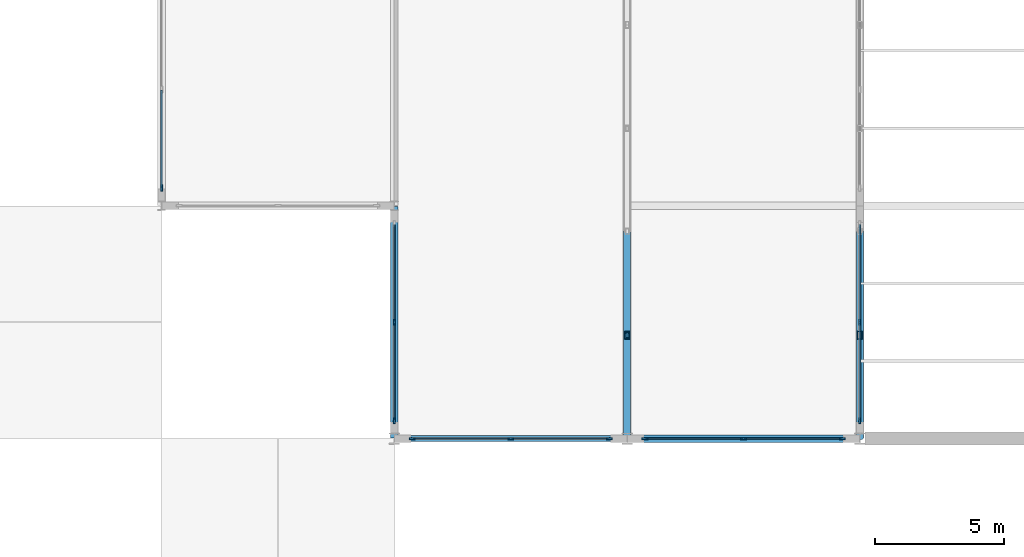
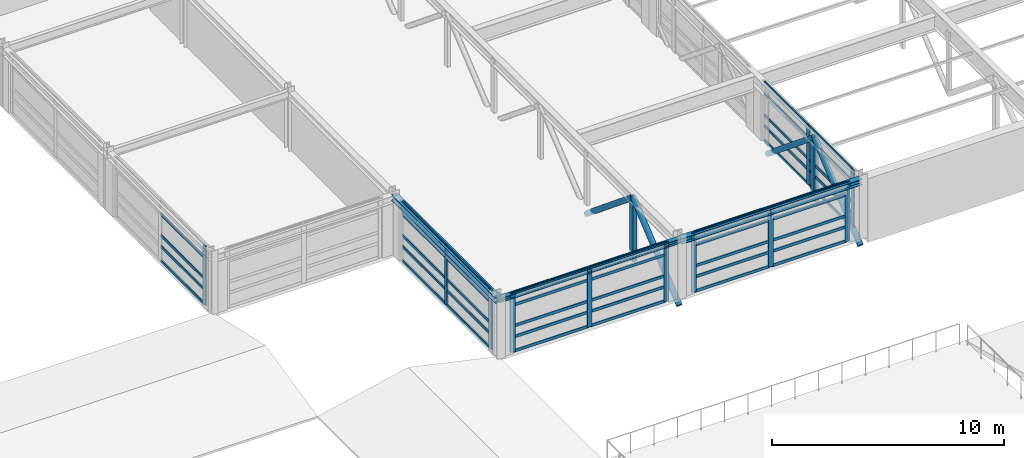
# One storey, part 42 of 91: 61 members, 3 beams, 5 elements without a shape of their own.
"""IFC4 building model written with IfcOpenShell, lengths in metres."""

from ifc_helpers import new_model, si_unit, direction, frame, origin, origin_2d, place, context, subcontext, project, spatial, rectangle, hollow_rectangle, hollow_circle, i_section, extrude, material, material_profile, profile_set, type_object, element, aggregate, save


model = new_model("IFC4")

# Units and contexts
model_context = context("Model", 3, precision=1e-05, world=origin(), true_north=direction((0.0, 1.0)))
body_context = subcontext(model_context, "Body", "Model", "MODEL_VIEW")
ifc_project = project(units=[si_unit("LENGTHUNIT", "METRE"), si_unit("AREAUNIT", "SQUARE_METRE"), si_unit("VOLUMEUNIT", "CUBIC_METRE"), si_unit("PLANEANGLEUNIT", "RADIAN"), si_unit("MASSUNIT", "GRAM", prefix="KILO")], contexts=[model_context])

# Site, building, storey
site_placement = place(None, origin())
site = spatial("IfcSite", under=ifc_project, at=site_placement, CompositionType="ELEMENT")
building_placement = place(site_placement, origin())
building = spatial("IfcBuilding", under=site, at=building_placement, Name="Palais des Congres Ocreval", CompositionType="ELEMENT")
storey_placement = place(building_placement, frame((0.0, 0.0, 8.159912109375)))
storey = spatial("IfcBuildingStorey", under=building, at=storey_placement, Name="L02", CompositionType="ELEMENT", Elevation=8.159912109375)

# Curtain wall, members
ifc_material_1 = material(Name="Anodized bronze aluminium and low-E glass", Category="glass")
curtain_wall_type = type_object("IfcCurtainWallType", Name="Unitised Curtain Wall 7900x3120", PredefinedType="USERDEFINED", material=ifc_material_1)
curtain_wall_1_placement = place(storey_placement, origin())
curtain_wall_1 = element("IfcCurtainWall", 1, at=curtain_wall_1_placement, inside=storey, type_object=curtain_wall_type, Name="Unitised Curtain Wall CW03 L02", ObjectType="UNITISED CURTAIN WALL", PredefinedType="USERDEFINED")
ifc_material_2 = material(Name="Anodized bronze aluminium", Category="aluminium")
ifc_material_profile_1 = material_profile(ifc_material_2, rectangle(XDim=0.074951171875, YDim=0.239990234375, at=origin_2d()), Name="ALU 75x240")
ifc_profile_set_1 = profile_set([ifc_material_profile_1], Name="Anodized bronze aluminium")
member_type_1 = type_object("IfcMemberType", Name="Curtain Wall Mullion ALU 75x240", PredefinedType="MULLION", material=ifc_profile_set_1)
member_1_placement = place(storey_placement, frame((108.0, 72.6875, 0.0), z_axis=(0.0, 0.0, 1.0), x_axis=(-1.0, 0.0, 0.0)))
member_1 = element("IfcMember", 2, at=member_1_placement, type_object=member_type_1, Name="Curtain Wall Mullion ML01", PredefinedType="MULLION", context=body_context, shape_type="SweptSolid", body=[
    extrude(rectangle(XDim=0.074951171875, YDim=0.239990234375, at=origin_2d()), origin(), (0.0, 0.0, 1.0), 3.110107421875),
])
member_2_placement = place(storey_placement, frame((108.0, 76.5, 0.0), z_axis=(0.0, 0.0, 1.0), x_axis=(-1.0, 0.0, 0.0)))
member_2 = element("IfcMember", 3, at=member_2_placement, type_object=member_type_1, Name="Curtain Wall Mullion ML01", PredefinedType="MULLION", context=body_context, shape_type="SweptSolid", body=[
    extrude(rectangle(XDim=0.074951171875, YDim=0.239990234375, at=origin_2d()), origin(), (0.0, 0.0, 1.0), 3.110107421875),
])

# Curtain wall, member
curtain_wall_2_placement = place(storey_placement, origin())
curtain_wall_2 = element("IfcCurtainWall", 4, at=curtain_wall_2_placement, inside=storey, type_object=curtain_wall_type, Name="Unitised Curtain Wall CW03 L02", ObjectType="UNITISED CURTAIN WALL", PredefinedType="USERDEFINED")
member_3_placement = place(storey_placement, frame((99.0, 81.6875, 0.0), z_axis=(0.0, 0.0, 1.0), x_axis=(-1.0, 0.0, 0.0)))
member_3 = element("IfcMember", 5, at=member_3_placement, type_object=member_type_1, Name="Curtain Wall Mullion ML01", PredefinedType="MULLION", context=body_context, shape_type="SweptSolid", body=[
    extrude(rectangle(XDim=0.074951171875, YDim=0.239990234375, at=origin_2d()), origin(), (0.0, 0.0, 1.0), 3.110107421875),
])

# Curtain wall, members
curtain_wall_3_placement = place(storey_placement, origin())
curtain_wall_3 = element("IfcCurtainWall", 6, at=curtain_wall_3_placement, inside=storey, type_object=curtain_wall_type, Name="Unitised Curtain Wall CW03 L02", ObjectType="UNITISED CURTAIN WALL", PredefinedType="USERDEFINED")
member_4_placement = place(storey_placement, frame((126.0, 76.5, 0.0), z_axis=(0.0, 0.0, 1.0), x_axis=(1.0, 0.0, 0.0)))
member_4 = element("IfcMember", 7, at=member_4_placement, type_object=member_type_1, Name="Curtain Wall Mullion ML01", PredefinedType="MULLION", context=body_context, shape_type="SweptSolid", body=[
    extrude(rectangle(XDim=0.074951171875, YDim=0.239990234375, at=origin_2d()), origin(), (0.0, 0.0, 1.0), 3.110107421875),
])
member_5_placement = place(storey_placement, frame((126.0, 72.6875, 0.0), z_axis=(0.0, 0.0, 1.0), x_axis=(1.0, 0.0, 0.0)))
member_5 = element("IfcMember", 8, at=member_5_placement, type_object=member_type_1, Name="Curtain Wall Mullion ML01", PredefinedType="MULLION", context=body_context, shape_type="SweptSolid", body=[
    extrude(rectangle(XDim=0.074951171875, YDim=0.239990234375, at=origin_2d()), origin(), (0.0, 0.0, 1.0), 3.110107421875),
])

curtain_wall_4_placement = place(storey_placement, origin())
curtain_wall_4 = element("IfcCurtainWall", 9, at=curtain_wall_4_placement, inside=storey, type_object=curtain_wall_type, Name="Unitised Curtain Wall CW03 L02", ObjectType="UNITISED CURTAIN WALL", PredefinedType="USERDEFINED")
member_6_placement = place(storey_placement, frame((125.3125, 72.0, 0.0), z_axis=(0.0, 0.0, 1.0), x_axis=(0.0, -1.0, 0.0)))
member_6 = element("IfcMember", 10, at=member_6_placement, type_object=member_type_1, Name="Curtain Wall Mullion ML01", PredefinedType="MULLION", context=body_context, shape_type="SweptSolid", body=[
    extrude(rectangle(XDim=0.074951171875, YDim=0.239990234375, at=origin_2d()), origin(), (0.0, 0.0, 1.0), 3.110107421875),
])
member_7_placement = place(storey_placement, frame((121.5, 72.0, 0.0), z_axis=(0.0, 0.0, 1.0), x_axis=(0.0, -1.0, 0.0)))
member_7 = element("IfcMember", 11, at=member_7_placement, type_object=member_type_1, Name="Curtain Wall Mullion ML01", PredefinedType="MULLION", context=body_context, shape_type="SweptSolid", body=[
    extrude(rectangle(XDim=0.074951171875, YDim=0.239990234375, at=origin_2d()), origin(), (0.0, 0.0, 1.0), 3.110107421875),
])
member_8_placement = place(storey_placement, frame((117.6875, 72.0, 0.0), z_axis=(0.0, 0.0, 1.0), x_axis=(0.0, -1.0, 0.0)))
member_8 = element("IfcMember", 12, at=member_8_placement, type_object=member_type_1, Name="Curtain Wall Mullion ML01", PredefinedType="MULLION", context=body_context, shape_type="SweptSolid", body=[
    extrude(rectangle(XDim=0.074951171875, YDim=0.239990234375, at=origin_2d()), origin(), (0.0, 0.0, 1.0), 3.110107421875),
])

curtain_wall_5_placement = place(storey_placement, origin())
curtain_wall_5 = element("IfcCurtainWall", 13, at=curtain_wall_5_placement, inside=storey, type_object=curtain_wall_type, Name="Unitised Curtain Wall CW03 L02", ObjectType="UNITISED CURTAIN WALL", PredefinedType="USERDEFINED")
member_9_placement = place(storey_placement, frame((116.3125, 72.0, 0.0), z_axis=(0.0, 0.0, 1.0), x_axis=(0.0, -1.0, 0.0)))
member_9 = element("IfcMember", 14, at=member_9_placement, type_object=member_type_1, Name="Curtain Wall Mullion ML01", PredefinedType="MULLION", context=body_context, shape_type="SweptSolid", body=[
    extrude(rectangle(XDim=0.074951171875, YDim=0.239990234375, at=origin_2d()), origin(), (0.0, 0.0, 1.0), 3.110107421875),
])
member_10_placement = place(storey_placement, frame((112.5, 72.0, 0.0), z_axis=(0.0, 0.0, 1.0), x_axis=(0.0, -1.0, 0.0)))
member_10 = element("IfcMember", 15, at=member_10_placement, type_object=member_type_1, Name="Curtain Wall Mullion ML01", PredefinedType="MULLION", context=body_context, shape_type="SweptSolid", body=[
    extrude(rectangle(XDim=0.074951171875, YDim=0.239990234375, at=origin_2d()), origin(), (0.0, 0.0, 1.0), 3.110107421875),
])
member_11_placement = place(storey_placement, frame((108.6875, 72.0, 0.0), z_axis=(0.0, 0.0, 1.0), x_axis=(0.0, -1.0, 0.0)))
member_11 = element("IfcMember", 16, at=member_11_placement, type_object=member_type_1, Name="Curtain Wall Mullion ML01", PredefinedType="MULLION", context=body_context, shape_type="SweptSolid", body=[
    extrude(rectangle(XDim=0.074951171875, YDim=0.239990234375, at=origin_2d()), origin(), (0.0, 0.0, 1.0), 3.110107421875),
])

# Member
ifc_material_profile_2 = material_profile(ifc_material_2, rectangle(XDim=0.06005859375, YDim=0.14990234375, at=origin_2d()), Name="ALU 60x150")
ifc_profile_set_2 = profile_set([ifc_material_profile_2], Name="Anodized bronze aluminium")
member_type_2 = type_object("IfcMemberType", Name="Curtain Wall Transom ALU 60x150", PredefinedType="USERDEFINED", material=ifc_profile_set_2)
member_12_placement = place(storey_placement, frame((108.0, 72.72509765625, 0.030029296875), z_axis=(0.0, 1.0, 0.0), x_axis=(-1.0, 0.0, 0.0)))
member_12 = element("IfcMember", 17, at=member_12_placement, type_object=member_type_2, Name="Curtain Wall Transom TR01", ObjectType="TRANSOM", PredefinedType="USERDEFINED", context=body_context, shape_type="SweptSolid", body=[
    extrude(rectangle(XDim=0.06005859375, YDim=0.14990234375, at=origin_2d()), origin(), (0.0, 0.0, 1.0), 3.7373046875),
])

member_13_placement = place(storey_placement, frame((108.0, 72.72509765625, 0.780029296875), z_axis=(0.0, 1.0, 0.0), x_axis=(-1.0, 0.0, 0.0)))
member_13 = element("IfcMember", 18, at=member_13_placement, type_object=member_type_2, Name="Curtain Wall Transom TR01", ObjectType="TRANSOM", PredefinedType="USERDEFINED", context=body_context, shape_type="SweptSolid", body=[
    extrude(rectangle(XDim=0.06005859375, YDim=0.14990234375, at=origin_2d()), origin(), (0.0, 0.0, 1.0), 3.7373046875),
])

member_14_placement = place(storey_placement, frame((108.0, 72.72509765625, 1.35302734375), z_axis=(0.0, 1.0, 0.0), x_axis=(-1.0, 0.0, 0.0)))
member_14 = element("IfcMember", 19, at=member_14_placement, type_object=member_type_2, Name="Curtain Wall Transom TR01", ObjectType="TRANSOM", PredefinedType="USERDEFINED", context=body_context, shape_type="SweptSolid", body=[
    extrude(rectangle(XDim=0.06005859375, YDim=0.14990234375, at=origin_2d()), origin(), (0.0, 0.0, 1.0), 3.7373046875),
])

member_15_placement = place(storey_placement, frame((108.0, 72.72509765625, 2.460205078125), z_axis=(0.0, 1.0, 0.0), x_axis=(-1.0, 0.0, 0.0)))
member_15 = element("IfcMember", 20, at=member_15_placement, type_object=member_type_2, Name="Curtain Wall Transom TR01", ObjectType="TRANSOM", PredefinedType="USERDEFINED", context=body_context, shape_type="SweptSolid", body=[
    extrude(rectangle(XDim=0.06005859375, YDim=0.14990234375, at=origin_2d()), origin(), (0.0, 0.0, 1.0), 3.7373046875),
])

member_16_placement = place(storey_placement, frame((108.0, 72.72509765625, 3.080078125), z_axis=(0.0, 1.0, 0.0), x_axis=(-1.0, 0.0, 0.0)))
member_16 = element("IfcMember", 21, at=member_16_placement, type_object=member_type_2, Name="Curtain Wall Transom TR01", ObjectType="TRANSOM", PredefinedType="USERDEFINED", context=body_context, shape_type="SweptSolid", body=[
    extrude(rectangle(XDim=0.06005859375, YDim=0.14990234375, at=origin_2d()), origin(), (0.0, 0.0, 1.0), 3.7373046875),
])

member_17_placement = place(storey_placement, frame((108.0, 76.53759765625, 0.030029296875), z_axis=(0.0, 1.0, 0.0), x_axis=(-1.0, 0.0, 0.0)))
member_17 = element("IfcMember", 22, at=member_17_placement, type_object=member_type_2, Name="Curtain Wall Transom TR01", ObjectType="TRANSOM", PredefinedType="USERDEFINED", context=body_context, shape_type="SweptSolid", body=[
    extrude(rectangle(XDim=0.06005859375, YDim=0.14990234375, at=origin_2d()), origin(), (0.0, 0.0, 1.0), 3.7373046875),
])

member_18_placement = place(storey_placement, frame((108.0, 76.53759765625, 0.780029296875), z_axis=(0.0, 1.0, 0.0), x_axis=(-1.0, 0.0, 0.0)))
member_18 = element("IfcMember", 23, at=member_18_placement, type_object=member_type_2, Name="Curtain Wall Transom TR01", ObjectType="TRANSOM", PredefinedType="USERDEFINED", context=body_context, shape_type="SweptSolid", body=[
    extrude(rectangle(XDim=0.06005859375, YDim=0.14990234375, at=origin_2d()), origin(), (0.0, 0.0, 1.0), 3.7373046875),
])

member_19_placement = place(storey_placement, frame((108.0, 76.53759765625, 1.35302734375), z_axis=(0.0, 1.0, 0.0), x_axis=(-1.0, 0.0, 0.0)))
member_19 = element("IfcMember", 24, at=member_19_placement, type_object=member_type_2, Name="Curtain Wall Transom TR01", ObjectType="TRANSOM", PredefinedType="USERDEFINED", context=body_context, shape_type="SweptSolid", body=[
    extrude(rectangle(XDim=0.06005859375, YDim=0.14990234375, at=origin_2d()), origin(), (0.0, 0.0, 1.0), 3.7373046875),
])

member_20_placement = place(storey_placement, frame((108.0, 76.53759765625, 2.460205078125), z_axis=(0.0, 1.0, 0.0), x_axis=(-1.0, 0.0, 0.0)))
member_20 = element("IfcMember", 25, at=member_20_placement, type_object=member_type_2, Name="Curtain Wall Transom TR01", ObjectType="TRANSOM", PredefinedType="USERDEFINED", context=body_context, shape_type="SweptSolid", body=[
    extrude(rectangle(XDim=0.06005859375, YDim=0.14990234375, at=origin_2d()), origin(), (0.0, 0.0, 1.0), 3.7373046875),
])

member_21_placement = place(storey_placement, frame((108.0, 76.53759765625, 3.080078125), z_axis=(0.0, 1.0, 0.0), x_axis=(-1.0, 0.0, 0.0)))
member_21 = element("IfcMember", 26, at=member_21_placement, type_object=member_type_2, Name="Curtain Wall Transom TR01", ObjectType="TRANSOM", PredefinedType="USERDEFINED", context=body_context, shape_type="SweptSolid", body=[
    extrude(rectangle(XDim=0.06005859375, YDim=0.14990234375, at=origin_2d()), origin(), (0.0, 0.0, 1.0), 3.7373046875),
])

aggregate(curtain_wall_1, [member_1, member_2, member_12, member_13, member_14, member_15, member_16, member_17, member_18, member_19, member_20, member_21])

member_22_placement = place(storey_placement, frame((99.0, 81.72509765625, 0.030029296875), z_axis=(0.0, 1.0, 0.0), x_axis=(-1.0, 0.0, 0.0)))
member_22 = element("IfcMember", 27, at=member_22_placement, type_object=member_type_2, Name="Curtain Wall Transom TR01", ObjectType="TRANSOM", PredefinedType="USERDEFINED", context=body_context, shape_type="SweptSolid", body=[
    extrude(rectangle(XDim=0.06005859375, YDim=0.14990234375, at=origin_2d()), origin(), (0.0, 0.0, 1.0), 3.7373046875),
])

member_23_placement = place(storey_placement, frame((99.0, 81.72509765625, 0.780029296875), z_axis=(0.0, 1.0, 0.0), x_axis=(-1.0, 0.0, 0.0)))
member_23 = element("IfcMember", 28, at=member_23_placement, type_object=member_type_2, Name="Curtain Wall Transom TR01", ObjectType="TRANSOM", PredefinedType="USERDEFINED", context=body_context, shape_type="SweptSolid", body=[
    extrude(rectangle(XDim=0.06005859375, YDim=0.14990234375, at=origin_2d()), origin(), (0.0, 0.0, 1.0), 3.7373046875),
])

member_24_placement = place(storey_placement, frame((99.0, 81.72509765625, 1.35302734375), z_axis=(0.0, 1.0, 0.0), x_axis=(-1.0, 0.0, 0.0)))
member_24 = element("IfcMember", 29, at=member_24_placement, type_object=member_type_2, Name="Curtain Wall Transom TR01", ObjectType="TRANSOM", PredefinedType="USERDEFINED", context=body_context, shape_type="SweptSolid", body=[
    extrude(rectangle(XDim=0.06005859375, YDim=0.14990234375, at=origin_2d()), origin(), (0.0, 0.0, 1.0), 3.7373046875),
])

member_25_placement = place(storey_placement, frame((99.0, 81.72509765625, 2.460205078125), z_axis=(0.0, 1.0, 0.0), x_axis=(-1.0, 0.0, 0.0)))
member_25 = element("IfcMember", 30, at=member_25_placement, type_object=member_type_2, Name="Curtain Wall Transom TR01", ObjectType="TRANSOM", PredefinedType="USERDEFINED", context=body_context, shape_type="SweptSolid", body=[
    extrude(rectangle(XDim=0.06005859375, YDim=0.14990234375, at=origin_2d()), origin(), (0.0, 0.0, 1.0), 3.7373046875),
])

aggregate(curtain_wall_2, [member_3, member_22, member_23, member_24, member_25])

member_26_placement = place(storey_placement, frame((126.0, 80.27490234375, 0.030029296875), z_axis=(0.0, -1.0, 0.0), x_axis=(1.0, 0.0, 0.0)))
member_26 = element("IfcMember", 31, at=member_26_placement, type_object=member_type_2, Name="Curtain Wall Transom TR01", ObjectType="TRANSOM", PredefinedType="USERDEFINED", context=body_context, shape_type="SweptSolid", body=[
    extrude(rectangle(XDim=0.06005859375, YDim=0.14990234375, at=origin_2d()), origin(), (0.0, 0.0, 1.0), 3.7373046875),
])

member_27_placement = place(storey_placement, frame((126.0, 80.27490234375, 0.780029296875), z_axis=(0.0, -1.0, 0.0), x_axis=(1.0, 0.0, 0.0)))
member_27 = element("IfcMember", 32, at=member_27_placement, type_object=member_type_2, Name="Curtain Wall Transom TR01", ObjectType="TRANSOM", PredefinedType="USERDEFINED", context=body_context, shape_type="SweptSolid", body=[
    extrude(rectangle(XDim=0.06005859375, YDim=0.14990234375, at=origin_2d()), origin(), (0.0, 0.0, 1.0), 3.7373046875),
])

member_28_placement = place(storey_placement, frame((126.0, 80.27490234375, 1.35302734375), z_axis=(0.0, -1.0, 0.0), x_axis=(1.0, 0.0, 0.0)))
member_28 = element("IfcMember", 33, at=member_28_placement, type_object=member_type_2, Name="Curtain Wall Transom TR01", ObjectType="TRANSOM", PredefinedType="USERDEFINED", context=body_context, shape_type="SweptSolid", body=[
    extrude(rectangle(XDim=0.06005859375, YDim=0.14990234375, at=origin_2d()), origin(), (0.0, 0.0, 1.0), 3.7373046875),
])

member_29_placement = place(storey_placement, frame((126.0, 80.27490234375, 2.460205078125), z_axis=(0.0, -1.0, 0.0), x_axis=(1.0, 0.0, 0.0)))
member_29 = element("IfcMember", 34, at=member_29_placement, type_object=member_type_2, Name="Curtain Wall Transom TR01", ObjectType="TRANSOM", PredefinedType="USERDEFINED", context=body_context, shape_type="SweptSolid", body=[
    extrude(rectangle(XDim=0.06005859375, YDim=0.14990234375, at=origin_2d()), origin(), (0.0, 0.0, 1.0), 3.7373046875),
])

member_30_placement = place(storey_placement, frame((126.0, 80.27490234375, 3.080078125), z_axis=(0.0, -1.0, 0.0), x_axis=(1.0, 0.0, 0.0)))
member_30 = element("IfcMember", 35, at=member_30_placement, type_object=member_type_2, Name="Curtain Wall Transom TR01", ObjectType="TRANSOM", PredefinedType="USERDEFINED", context=body_context, shape_type="SweptSolid", body=[
    extrude(rectangle(XDim=0.06005859375, YDim=0.14990234375, at=origin_2d()), origin(), (0.0, 0.0, 1.0), 3.7373046875),
])

member_31_placement = place(storey_placement, frame((126.0, 76.46240234375, 0.030029296875), z_axis=(0.0, -1.0, 0.0), x_axis=(1.0, 0.0, 0.0)))
member_31 = element("IfcMember", 36, at=member_31_placement, type_object=member_type_2, Name="Curtain Wall Transom TR01", ObjectType="TRANSOM", PredefinedType="USERDEFINED", context=body_context, shape_type="SweptSolid", body=[
    extrude(rectangle(XDim=0.06005859375, YDim=0.14990234375, at=origin_2d()), origin(), (0.0, 0.0, 1.0), 3.7373046875),
])

member_32_placement = place(storey_placement, frame((126.0, 76.46240234375, 0.780029296875), z_axis=(0.0, -1.0, 0.0), x_axis=(1.0, 0.0, 0.0)))
member_32 = element("IfcMember", 37, at=member_32_placement, type_object=member_type_2, Name="Curtain Wall Transom TR01", ObjectType="TRANSOM", PredefinedType="USERDEFINED", context=body_context, shape_type="SweptSolid", body=[
    extrude(rectangle(XDim=0.06005859375, YDim=0.14990234375, at=origin_2d()), origin(), (0.0, 0.0, 1.0), 3.7373046875),
])

member_33_placement = place(storey_placement, frame((126.0, 76.46240234375, 1.35302734375), z_axis=(0.0, -1.0, 0.0), x_axis=(1.0, 0.0, 0.0)))
member_33 = element("IfcMember", 38, at=member_33_placement, type_object=member_type_2, Name="Curtain Wall Transom TR01", ObjectType="TRANSOM", PredefinedType="USERDEFINED", context=body_context, shape_type="SweptSolid", body=[
    extrude(rectangle(XDim=0.06005859375, YDim=0.14990234375, at=origin_2d()), origin(), (0.0, 0.0, 1.0), 3.7373046875),
])

member_34_placement = place(storey_placement, frame((126.0, 76.46240234375, 2.460205078125), z_axis=(0.0, -1.0, 0.0), x_axis=(1.0, 0.0, 0.0)))
member_34 = element("IfcMember", 39, at=member_34_placement, type_object=member_type_2, Name="Curtain Wall Transom TR01", ObjectType="TRANSOM", PredefinedType="USERDEFINED", context=body_context, shape_type="SweptSolid", body=[
    extrude(rectangle(XDim=0.06005859375, YDim=0.14990234375, at=origin_2d()), origin(), (0.0, 0.0, 1.0), 3.7373046875),
])

member_35_placement = place(storey_placement, frame((126.0, 76.46240234375, 3.080078125), z_axis=(0.0, -1.0, 0.0), x_axis=(1.0, 0.0, 0.0)))
member_35 = element("IfcMember", 40, at=member_35_placement, type_object=member_type_2, Name="Curtain Wall Transom TR01", ObjectType="TRANSOM", PredefinedType="USERDEFINED", context=body_context, shape_type="SweptSolid", body=[
    extrude(rectangle(XDim=0.06005859375, YDim=0.14990234375, at=origin_2d()), origin(), (0.0, 0.0, 1.0), 3.7373046875),
])

aggregate(curtain_wall_3, [member_4, member_5, member_26, member_27, member_28, member_29, member_30, member_31, member_32, member_33, member_34, member_35])

member_36_placement = place(storey_placement, frame((125.27490234375, 72.0, 0.030029296875), z_axis=(-1.0, 0.0, 0.0), x_axis=(0.0, -1.0, 0.0)))
member_36 = element("IfcMember", 41, at=member_36_placement, type_object=member_type_2, Name="Curtain Wall Transom TR01", ObjectType="TRANSOM", PredefinedType="USERDEFINED", context=body_context, shape_type="SweptSolid", body=[
    extrude(rectangle(XDim=0.06005859375, YDim=0.14990234375, at=origin_2d()), origin(), (0.0, 0.0, 1.0), 3.7373046875),
])

member_37_placement = place(storey_placement, frame((125.27490234375, 72.0, 0.780029296875), z_axis=(-1.0, 0.0, 0.0), x_axis=(0.0, -1.0, 0.0)))
member_37 = element("IfcMember", 42, at=member_37_placement, type_object=member_type_2, Name="Curtain Wall Transom TR01", ObjectType="TRANSOM", PredefinedType="USERDEFINED", context=body_context, shape_type="SweptSolid", body=[
    extrude(rectangle(XDim=0.06005859375, YDim=0.14990234375, at=origin_2d()), origin(), (0.0, 0.0, 1.0), 3.7373046875),
])

member_38_placement = place(storey_placement, frame((125.27490234375, 72.0, 1.35302734375), z_axis=(-1.0, 0.0, 0.0), x_axis=(0.0, -1.0, 0.0)))
member_38 = element("IfcMember", 43, at=member_38_placement, type_object=member_type_2, Name="Curtain Wall Transom TR01", ObjectType="TRANSOM", PredefinedType="USERDEFINED", context=body_context, shape_type="SweptSolid", body=[
    extrude(rectangle(XDim=0.06005859375, YDim=0.14990234375, at=origin_2d()), origin(), (0.0, 0.0, 1.0), 3.7373046875),
])

member_39_placement = place(storey_placement, frame((125.27490234375, 72.0, 2.460205078125), z_axis=(-1.0, 0.0, 0.0), x_axis=(0.0, -1.0, 0.0)))
member_39 = element("IfcMember", 44, at=member_39_placement, type_object=member_type_2, Name="Curtain Wall Transom TR01", ObjectType="TRANSOM", PredefinedType="USERDEFINED", context=body_context, shape_type="SweptSolid", body=[
    extrude(rectangle(XDim=0.06005859375, YDim=0.14990234375, at=origin_2d()), origin(), (0.0, 0.0, 1.0), 3.7373046875),
])

member_40_placement = place(storey_placement, frame((125.27490234375, 72.0, 3.080078125), z_axis=(-1.0, 0.0, 0.0), x_axis=(0.0, -1.0, 0.0)))
member_40 = element("IfcMember", 45, at=member_40_placement, type_object=member_type_2, Name="Curtain Wall Transom TR01", ObjectType="TRANSOM", PredefinedType="USERDEFINED", context=body_context, shape_type="SweptSolid", body=[
    extrude(rectangle(XDim=0.06005859375, YDim=0.14990234375, at=origin_2d()), origin(), (0.0, 0.0, 1.0), 3.7373046875),
])

member_41_placement = place(storey_placement, frame((121.46240234375, 72.0, 0.030029296875), z_axis=(-1.0, 0.0, 0.0), x_axis=(0.0, -1.0, 0.0)))
member_41 = element("IfcMember", 46, at=member_41_placement, type_object=member_type_2, Name="Curtain Wall Transom TR01", ObjectType="TRANSOM", PredefinedType="USERDEFINED", context=body_context, shape_type="SweptSolid", body=[
    extrude(rectangle(XDim=0.06005859375, YDim=0.14990234375, at=origin_2d()), origin(), (0.0, 0.0, 1.0), 3.7373046875),
])

member_42_placement = place(storey_placement, frame((121.46240234375, 72.0, 0.780029296875), z_axis=(-1.0, 0.0, 0.0), x_axis=(0.0, -1.0, 0.0)))
member_42 = element("IfcMember", 47, at=member_42_placement, type_object=member_type_2, Name="Curtain Wall Transom TR01", ObjectType="TRANSOM", PredefinedType="USERDEFINED", context=body_context, shape_type="SweptSolid", body=[
    extrude(rectangle(XDim=0.06005859375, YDim=0.14990234375, at=origin_2d()), origin(), (0.0, 0.0, 1.0), 3.7373046875),
])

member_43_placement = place(storey_placement, frame((121.46240234375, 72.0, 1.35302734375), z_axis=(-1.0, 0.0, 0.0), x_axis=(0.0, -1.0, 0.0)))
member_43 = element("IfcMember", 48, at=member_43_placement, type_object=member_type_2, Name="Curtain Wall Transom TR01", ObjectType="TRANSOM", PredefinedType="USERDEFINED", context=body_context, shape_type="SweptSolid", body=[
    extrude(rectangle(XDim=0.06005859375, YDim=0.14990234375, at=origin_2d()), origin(), (0.0, 0.0, 1.0), 3.7373046875),
])

member_44_placement = place(storey_placement, frame((121.46240234375, 72.0, 2.460205078125), z_axis=(-1.0, 0.0, 0.0), x_axis=(0.0, -1.0, 0.0)))
member_44 = element("IfcMember", 49, at=member_44_placement, type_object=member_type_2, Name="Curtain Wall Transom TR01", ObjectType="TRANSOM", PredefinedType="USERDEFINED", context=body_context, shape_type="SweptSolid", body=[
    extrude(rectangle(XDim=0.06005859375, YDim=0.14990234375, at=origin_2d()), origin(), (0.0, 0.0, 1.0), 3.7373046875),
])

member_45_placement = place(storey_placement, frame((121.46240234375, 72.0, 3.080078125), z_axis=(-1.0, 0.0, 0.0), x_axis=(0.0, -1.0, 0.0)))
member_45 = element("IfcMember", 50, at=member_45_placement, type_object=member_type_2, Name="Curtain Wall Transom TR01", ObjectType="TRANSOM", PredefinedType="USERDEFINED", context=body_context, shape_type="SweptSolid", body=[
    extrude(rectangle(XDim=0.06005859375, YDim=0.14990234375, at=origin_2d()), origin(), (0.0, 0.0, 1.0), 3.7373046875),
])

aggregate(curtain_wall_4, [member_6, member_7, member_8, member_36, member_37, member_38, member_39, member_40, member_41, member_42, member_43, member_44, member_45])

member_46_placement = place(storey_placement, frame((116.27490234375, 72.0, 0.030029296875), z_axis=(-1.0, 0.0, 0.0), x_axis=(0.0, -1.0, 0.0)))
member_46 = element("IfcMember", 51, at=member_46_placement, type_object=member_type_2, Name="Curtain Wall Transom TR01", ObjectType="TRANSOM", PredefinedType="USERDEFINED", context=body_context, shape_type="SweptSolid", body=[
    extrude(rectangle(XDim=0.06005859375, YDim=0.14990234375, at=origin_2d()), origin(), (0.0, 0.0, 1.0), 3.7373046875),
])

member_47_placement = place(storey_placement, frame((116.27490234375, 72.0, 0.780029296875), z_axis=(-1.0, 0.0, 0.0), x_axis=(0.0, -1.0, 0.0)))
member_47 = element("IfcMember", 52, at=member_47_placement, type_object=member_type_2, Name="Curtain Wall Transom TR01", ObjectType="TRANSOM", PredefinedType="USERDEFINED", context=body_context, shape_type="SweptSolid", body=[
    extrude(rectangle(XDim=0.06005859375, YDim=0.14990234375, at=origin_2d()), origin(), (0.0, 0.0, 1.0), 3.7373046875),
])

member_48_placement = place(storey_placement, frame((116.27490234375, 72.0, 1.35302734375), z_axis=(-1.0, 0.0, 0.0), x_axis=(0.0, -1.0, 0.0)))
member_48 = element("IfcMember", 53, at=member_48_placement, type_object=member_type_2, Name="Curtain Wall Transom TR01", ObjectType="TRANSOM", PredefinedType="USERDEFINED", context=body_context, shape_type="SweptSolid", body=[
    extrude(rectangle(XDim=0.06005859375, YDim=0.14990234375, at=origin_2d()), origin(), (0.0, 0.0, 1.0), 3.7373046875),
])

member_49_placement = place(storey_placement, frame((116.27490234375, 72.0, 2.460205078125), z_axis=(-1.0, 0.0, 0.0), x_axis=(0.0, -1.0, 0.0)))
member_49 = element("IfcMember", 54, at=member_49_placement, type_object=member_type_2, Name="Curtain Wall Transom TR01", ObjectType="TRANSOM", PredefinedType="USERDEFINED", context=body_context, shape_type="SweptSolid", body=[
    extrude(rectangle(XDim=0.06005859375, YDim=0.14990234375, at=origin_2d()), origin(), (0.0, 0.0, 1.0), 3.7373046875),
])

member_50_placement = place(storey_placement, frame((116.27490234375, 72.0, 3.080078125), z_axis=(-1.0, 0.0, 0.0), x_axis=(0.0, -1.0, 0.0)))
member_50 = element("IfcMember", 55, at=member_50_placement, type_object=member_type_2, Name="Curtain Wall Transom TR01", ObjectType="TRANSOM", PredefinedType="USERDEFINED", context=body_context, shape_type="SweptSolid", body=[
    extrude(rectangle(XDim=0.06005859375, YDim=0.14990234375, at=origin_2d()), origin(), (0.0, 0.0, 1.0), 3.7373046875),
])

member_51_placement = place(storey_placement, frame((112.46240234375, 72.0, 0.030029296875), z_axis=(-1.0, 0.0, 0.0), x_axis=(0.0, -1.0, 0.0)))
member_51 = element("IfcMember", 56, at=member_51_placement, type_object=member_type_2, Name="Curtain Wall Transom TR01", ObjectType="TRANSOM", PredefinedType="USERDEFINED", context=body_context, shape_type="SweptSolid", body=[
    extrude(rectangle(XDim=0.06005859375, YDim=0.14990234375, at=origin_2d()), origin(), (0.0, 0.0, 1.0), 3.7373046875),
])

member_52_placement = place(storey_placement, frame((112.46240234375, 72.0, 0.780029296875), z_axis=(-1.0, 0.0, 0.0), x_axis=(0.0, -1.0, 0.0)))
member_52 = element("IfcMember", 57, at=member_52_placement, type_object=member_type_2, Name="Curtain Wall Transom TR01", ObjectType="TRANSOM", PredefinedType="USERDEFINED", context=body_context, shape_type="SweptSolid", body=[
    extrude(rectangle(XDim=0.06005859375, YDim=0.14990234375, at=origin_2d()), origin(), (0.0, 0.0, 1.0), 3.7373046875),
])

member_53_placement = place(storey_placement, frame((112.46240234375, 72.0, 1.35302734375), z_axis=(-1.0, 0.0, 0.0), x_axis=(0.0, -1.0, 0.0)))
member_53 = element("IfcMember", 58, at=member_53_placement, type_object=member_type_2, Name="Curtain Wall Transom TR01", ObjectType="TRANSOM", PredefinedType="USERDEFINED", context=body_context, shape_type="SweptSolid", body=[
    extrude(rectangle(XDim=0.06005859375, YDim=0.14990234375, at=origin_2d()), origin(), (0.0, 0.0, 1.0), 3.7373046875),
])

member_54_placement = place(storey_placement, frame((112.46240234375, 72.0, 2.460205078125), z_axis=(-1.0, 0.0, 0.0), x_axis=(0.0, -1.0, 0.0)))
member_54 = element("IfcMember", 59, at=member_54_placement, type_object=member_type_2, Name="Curtain Wall Transom TR01", ObjectType="TRANSOM", PredefinedType="USERDEFINED", context=body_context, shape_type="SweptSolid", body=[
    extrude(rectangle(XDim=0.06005859375, YDim=0.14990234375, at=origin_2d()), origin(), (0.0, 0.0, 1.0), 3.7373046875),
])

member_55_placement = place(storey_placement, frame((112.46240234375, 72.0, 3.080078125), z_axis=(-1.0, 0.0, 0.0), x_axis=(0.0, -1.0, 0.0)))
member_55 = element("IfcMember", 60, at=member_55_placement, type_object=member_type_2, Name="Curtain Wall Transom TR01", ObjectType="TRANSOM", PredefinedType="USERDEFINED", context=body_context, shape_type="SweptSolid", body=[
    extrude(rectangle(XDim=0.06005859375, YDim=0.14990234375, at=origin_2d()), origin(), (0.0, 0.0, 1.0), 3.7373046875),
])

aggregate(curtain_wall_5, [member_9, member_10, member_11, member_46, member_47, member_48, member_49, member_50, member_51, member_52, member_53, member_54, member_55])

# Members
ifc_material_3 = material(Name="Steel S355", Category="steel")
ifc_material_profile_3 = material_profile(ifc_material_3, hollow_circle(Radius=0.136474609375, WallThickness=0.01611328125, at=origin_2d()), Name="CHS 273x16")
ifc_profile_set_3 = profile_set([ifc_material_profile_3], Name="Steel S355")
member_type_3 = type_object("IfcMemberType", Name="Diagonal Brace CHS 273x16 Steel S355", PredefinedType="BRACE", material=ifc_profile_set_3)
member_56_placement = place(storey_placement, frame((117.0, 72.0400390625, -0.5), z_axis=(0.0, 0.76916885685, 0.639045592781), x_axis=(-1.0, 0.0, 0.0)))
element("IfcMember", 61, at=member_56_placement, inside=storey, type_object=member_type_3, Name="Transfer Truss Web Diagonal V2-117-1", PredefinedType="BRACE", context=body_context, shape_type="SweptSolid", body=[
    extrude(hollow_circle(Radius=0.136474609375, WallThickness=0.01611328125, at=origin_2d()), origin(), (0.0, 0.0, 1.0), 5.1484375),
])
member_57_placement = place(storey_placement, frame((117.0, 76.0, 2.7900390625), z_axis=(0.0, 0.772316531173, -0.635237889044), x_axis=(-1.0, 0.0, 0.0)))
element("IfcMember", 62, at=member_57_placement, inside=storey, type_object=member_type_3, Name="Transfer Truss Web Diagonal V2-117-2", PredefinedType="BRACE", context=body_context, shape_type="SweptSolid", body=[
    extrude(hollow_circle(Radius=0.136474609375, WallThickness=0.01611328125, at=origin_2d()), origin(), (0.0, 0.0, 1.0), 5.17919921875),
])
member_58_placement = place(storey_placement, frame((126.0, 72.0400390625, -0.5), z_axis=(0.0, 0.76916885685, 0.639045592781), x_axis=(-1.0, 0.0, 0.0)))
element("IfcMember", 63, at=member_58_placement, inside=storey, type_object=member_type_3, Name="Transfer Truss Web Diagonal V2-126-1", PredefinedType="BRACE", context=body_context, shape_type="SweptSolid", body=[
    extrude(hollow_circle(Radius=0.136474609375, WallThickness=0.01611328125, at=origin_2d()), origin(), (0.0, 0.0, 1.0), 5.1484375),
])
member_59_placement = place(storey_placement, frame((126.0, 76.0, 2.7900390625), z_axis=(0.0, 0.772316531173, -0.635237889044), x_axis=(-1.0, 0.0, 0.0)))
element("IfcMember", 64, at=member_59_placement, inside=storey, type_object=member_type_3, Name="Transfer Truss Web Diagonal V2-126-2", PredefinedType="BRACE", context=body_context, shape_type="SweptSolid", body=[
    extrude(hollow_circle(Radius=0.136474609375, WallThickness=0.01611328125, at=origin_2d()), origin(), (0.0, 0.0, 1.0), 5.17919921875),
])

# Beams
ifc_material_profile_4 = material_profile(ifc_material_3, i_section(OverallWidth=0.239990234375, OverallDepth=0.22998046875, WebThickness=0.007568359375, FlangeThickness=0.011962890625, at=origin_2d()), Name="HEA 240")
ifc_profile_set_4 = profile_set([ifc_material_profile_4], Name="Steel S355")
beam_type_1 = type_object("IfcBeamType", Name="Perimeter Spandrel HEA 240 Steel S355", PredefinedType="SPANDREL", material=ifc_profile_set_4)
beam_placement = place(storey_placement, frame((108.02001953125, 72.0, 2.985107421875), z_axis=(1.0, 0.0, 0.0), x_axis=(0.0, 1.0, 0.0)))
element("IfcBeam", 65, at=beam_placement, inside=storey, type_object=beam_type_1, Name="Beam SP01 L02", PredefinedType="SPANDREL", context=body_context, shape_type="SweptSolid", body=[
    extrude(i_section(OverallWidth=0.239990234375, OverallDepth=0.22998046875, WebThickness=0.007568359375, FlangeThickness=0.011962890625, at=origin_2d()), origin(), (0.0, 0.0, 1.0), 8.9599609375),
])
ifc_material_profile_5 = material_profile(ifc_material_3, i_section(OverallWidth=0.300048828125, OverallDepth=0.300048828125, WebThickness=0.010986328125, FlangeThickness=0.01904296875, at=origin_2d()), Name="HEB 300")
ifc_profile_set_5 = profile_set([ifc_material_profile_5], Name="Steel S355")
beam_type_2 = type_object("IfcBeamType", Name="Perimeter Spandrel HEB 300 Steel S355", PredefinedType="SPANDREL", material=ifc_profile_set_5)
for number, where, z_axis, x_axis, name in (
    (66, (108.0, 72.02001953125, 2.9501953125), (0.0, 1.0, 0.0), (-1.0, 0.0, 0.0), "Girder SP02 L02"),
    (67, (117.02001953125, 72.0, 2.9501953125), (1.0, 0.0, 0.0), (0.0, 1.0, 0.0), "Beam SP02 L02"),
):
    element("IfcBeam", number, at=place(storey_placement, frame(where, z_axis=z_axis, x_axis=x_axis)), inside=storey, type_object=beam_type_2, Name=name, PredefinedType="SPANDREL", context=body_context, shape_type="SweptSolid", body=[
        extrude(i_section(OverallWidth=0.300048828125, OverallDepth=0.300048828125, WebThickness=0.010986328125, FlangeThickness=0.01904296875, at=origin_2d()), origin(), (0.0, 0.0, 1.0), 8.9599609375),
    ])

# Members
ifc_material_profile_6 = material_profile(ifc_material_3, hollow_rectangle(XDim=0.199951171875, YDim=0.300048828125, WallThickness=0.012451171875, at=origin_2d()), Name="RHS 300x200x12.5")
ifc_profile_set_6 = profile_set([ifc_material_profile_6], Name="Steel S355")
member_type_4 = type_object("IfcMemberType", Name="Truss Strut RHS 300x200x12.5 Steel S355", PredefinedType="STRUT", material=ifc_profile_set_6)
for number, where, z_axis, x_axis, name in (
    (68, (117.0, 76.0, -0.5), (0.0, 0.0, 1.0), (1.0, 0.0, 0.0), "Transfer Truss Vertical Post V2-117-1"),
    (69, (126.0, 76.0, -0.5), (0.0, 0.0, 1.0), (1.0, 0.0, 0.0), "Transfer Truss Vertical Post V2-126-1"),
):
    element("IfcMember", number, at=place(storey_placement, frame(where, z_axis=z_axis, x_axis=x_axis)), inside=storey, type_object=member_type_4, Name=name, PredefinedType="STRUT", context=body_context, shape_type="SweptSolid", body=[
        extrude(hollow_rectangle(XDim=0.199951171875, YDim=0.300048828125, WallThickness=0.012451171875, at=origin_2d()), origin(), (0.0, 0.0, 1.0), 3.2900390625),
    ])

save(model, "model.ifc")
